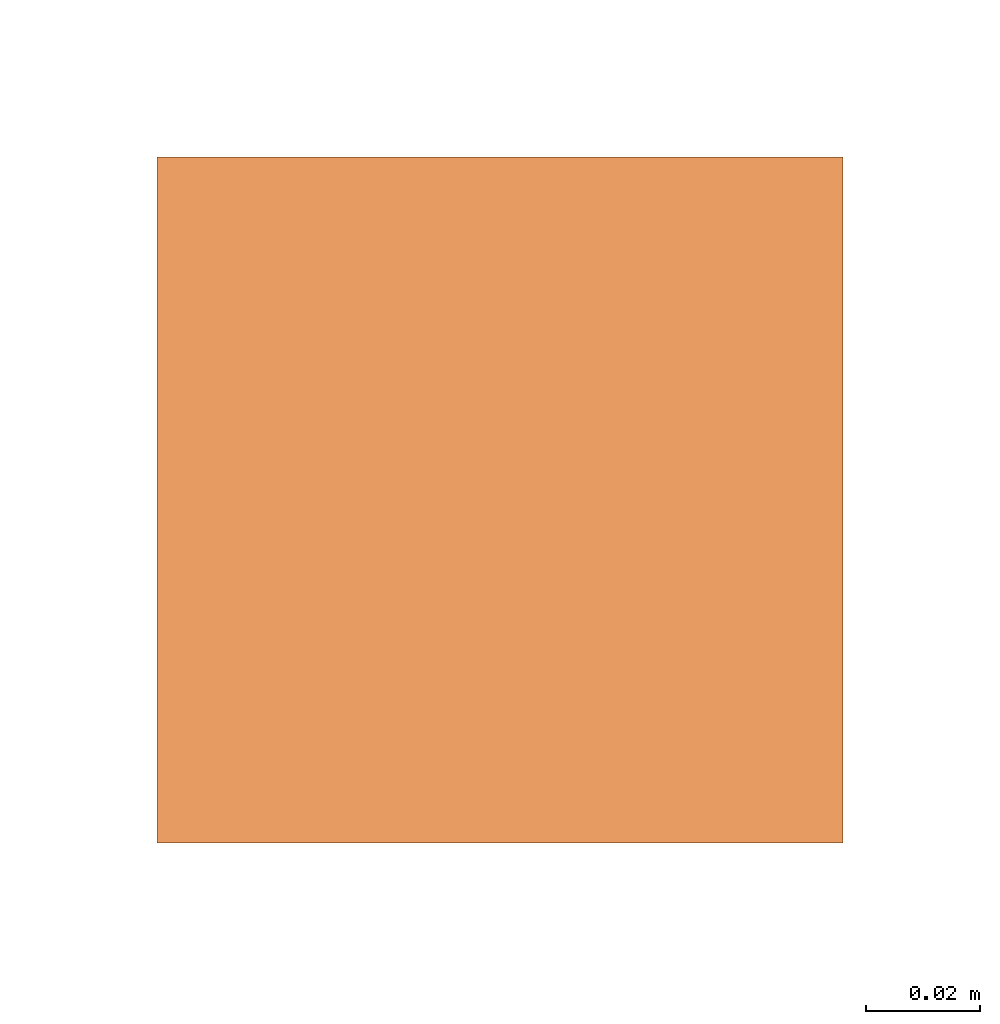
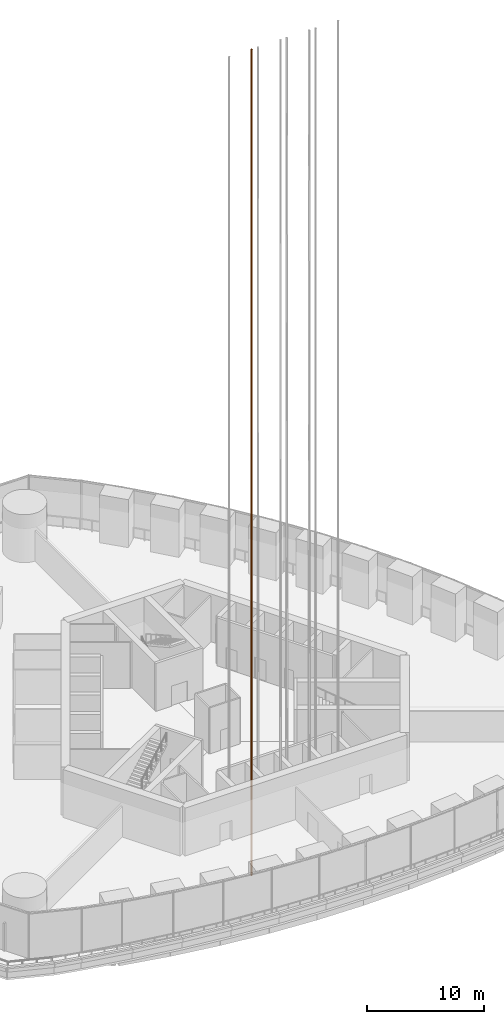
# One storey, part 25 of 31: 1 proxy.
"""IFC4 building model written with IfcOpenShell, lengths in metres."""

from ifc_helpers import new_model, si_unit, direction, frame, origin, origin_2d, place, context, subcontext, project, spatial, rectangle, extrude, element, save


model = new_model("IFC4")

# Units and contexts
model_context = context("Model", 3, precision=1e-05, world=origin(), true_north=direction((0.0, 1.0)))
body_context = subcontext(model_context, "Body", "Model", "MODEL_VIEW")
ifc_project = project(units=[si_unit("LENGTHUNIT", "METRE"), si_unit("AREAUNIT", "SQUARE_METRE"), si_unit("VOLUMEUNIT", "CUBIC_METRE"), si_unit("PLANEANGLEUNIT", "RADIAN"), si_unit("MASSUNIT", "GRAM", prefix="KILO")], contexts=[model_context])

# Site, building, storey
site_placement = place(None, origin())
site = spatial("IfcSite", under=ifc_project, at=site_placement, CompositionType="ELEMENT")
building_placement = place(site_placement, origin())
building = spatial("IfcBuilding", under=site, at=building_placement, Name="Trefoil Bronze Tower", CompositionType="ELEMENT")
storey_placement = place(building_placement, frame((0.0, 0.0, 184.699951171875)))
storey = spatial("IfcBuildingStorey", under=building, at=storey_placement, Name="L42", CompositionType="ELEMENT", Elevation=184.699951171875)

# Proxy
proxy_placement = place(storey_placement, frame((-3.1650390625, -11.3125, -6.0), z_axis=(0.0, 0.0, 1.0), x_axis=(1.0, 0.0, 0.0)))
element("IfcBuildingElementProxy", 1, at=proxy_placement, inside=storey, Name="Lift P31 guide rail 2", ObjectType="LIFT GUIDE RAIL", PredefinedType="USERDEFINED", context=body_context, shape_type="SweptSolid", body=[
    extrude(rectangle(XDim=0.1201171875, YDim=0.1201171875, at=origin_2d()), origin(), (0.0, 0.0, 1.0), 86.25),
])

save(model, "model.ifc")
